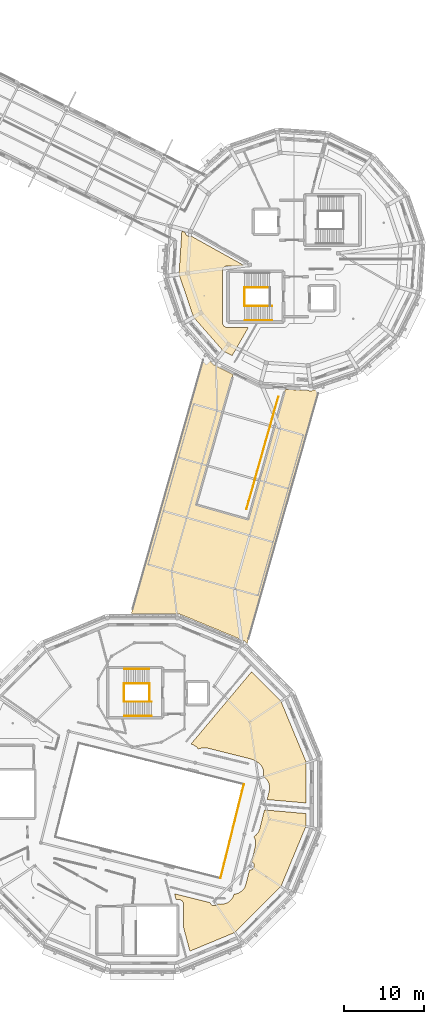
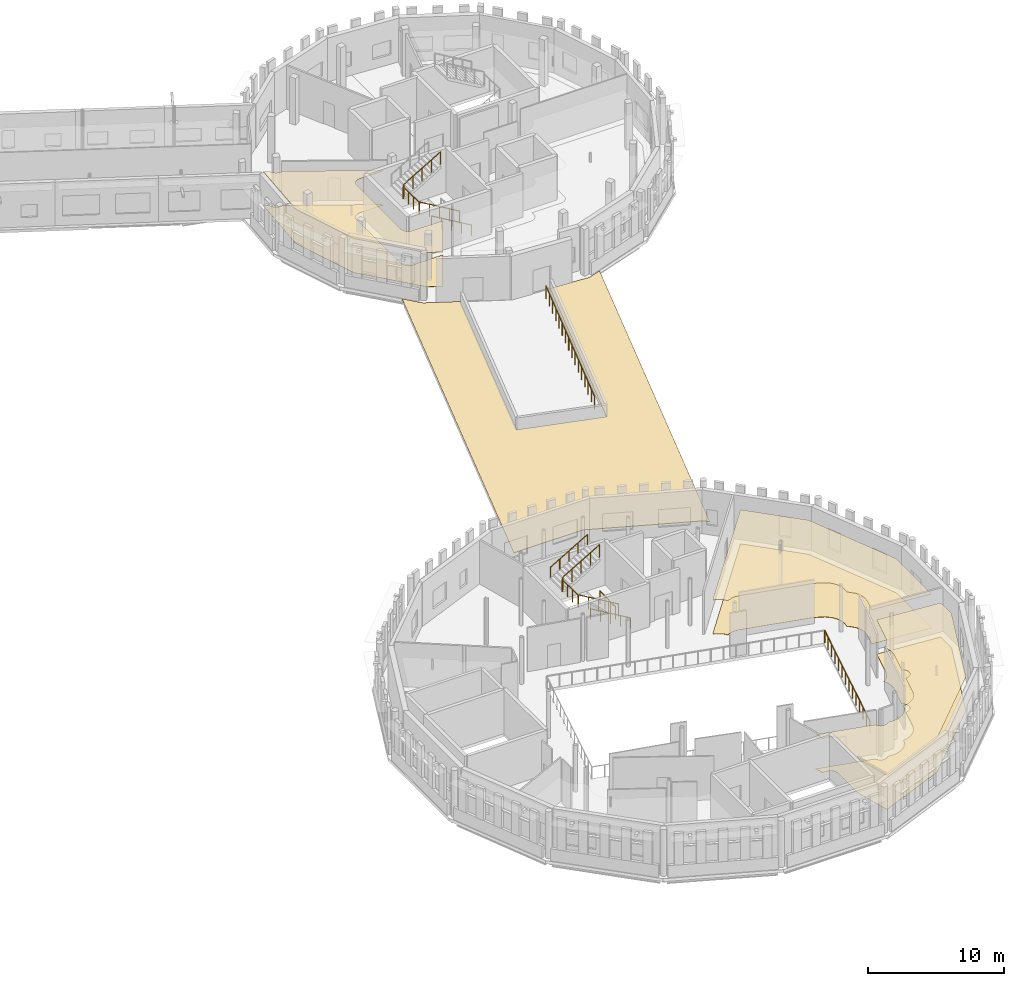
# One storey, part 67 of 68: 12 railings, 7 coverings.
"""IFC4 building model written with IfcOpenShell, lengths in metres."""

from ifc_helpers import new_model, si_unit, direction, frame, origin, origin_2d, place, context, subcontext, project, spatial, polyline, circle, outline, extrude, material, layer, layer_set, type_object, element, save


model = new_model("IFC4")

# Units and contexts
model_context = context("Model", 3, precision=1e-05, world=origin(), true_north=direction((0.0, 1.0)))
body_context = subcontext(model_context, "Body", "Model", "MODEL_VIEW")
ifc_project = project(units=[si_unit("LENGTHUNIT", "METRE"), si_unit("AREAUNIT", "SQUARE_METRE"), si_unit("VOLUMEUNIT", "CUBIC_METRE"), si_unit("PLANEANGLEUNIT", "RADIAN"), si_unit("MASSUNIT", "GRAM", prefix="KILO")], contexts=[model_context])

# Site, building, storey
site_placement = place(None, origin())
site = spatial("IfcSite", under=ifc_project, at=site_placement, CompositionType="ELEMENT")
building_placement = place(site_placement, origin())
building = spatial("IfcBuilding", under=site, at=building_placement, Name="Wrenclough Park School", CompositionType="ELEMENT")
storey_placement = place(building_placement, frame((0.0, 0.0, 12.60009765625)))
storey = spatial("IfcBuildingStorey", under=building, at=storey_placement, Name="L03", CompositionType="ELEMENT", Elevation=12.60009765625)

# Railing
ifc_material_1 = material(Name="Galvanised powder-coated steel and laminated glass balustrade", Category="steel")
railing_type_1 = type_object("IfcRailingType", Name="ENV-BAL-PD", PredefinedType="BALUSTRADE", material=ifc_material_1)
railing_1_placement = place(storey_placement, frame((168.54052734375, 62.18408203125, 0.0)))
element("IfcRailing", 1, at=railing_1_placement, inside=storey, type_object=railing_type_1, Name="Play deck PD-3E planted-zone balustrade", PredefinedType="BALUSTRADE", context=body_context, shape_type="SweptSolid", body=[
    extrude(circle(Radius=0.02392578125, at=origin_2d()), frame((0.0, 0.0, 1.1259765625), z_axis=(0.273109697595, 0.961982896459, 0.0), x_axis=(-0.961982896459, 0.273109697595, 0.0)), (0.0, 0.0, 1.0), 14.630859375),
    extrude(circle(Radius=0.02099609375, at=origin_2d()), origin(), (0.0, 0.0, 1.0), 1.101806640625),
    extrude(circle(Radius=0.02099609375, at=origin_2d()), frame((0.266357421875, 0.938232421875, 0.0)), (0.0, 0.0, 1.0), 1.101806640625),
    extrude(circle(Radius=0.02099609375, at=origin_2d()), frame((0.53271484375, 1.876708984375, 0.0)), (0.0, 0.0, 1.0), 1.101806640625),
    extrude(circle(Radius=0.02099609375, at=origin_2d()), frame((0.799072265625, 2.81494140625, 0.0)), (0.0, 0.0, 1.0), 1.101806640625),
    extrude(circle(Radius=0.02099609375, at=origin_2d()), frame((1.065673828125, 3.753173828125, 0.0)), (0.0, 0.0, 1.0), 1.101806640625),
    extrude(circle(Radius=0.02099609375, at=origin_2d()), frame((1.33203125, 4.691650390625, 0.0)), (0.0, 0.0, 1.0), 1.101806640625),
    extrude(circle(Radius=0.02099609375, at=origin_2d()), frame((1.598388671875, 5.6298828125, 0.0)), (0.0, 0.0, 1.0), 1.101806640625),
    extrude(circle(Radius=0.02099609375, at=origin_2d()), frame((1.86474609375, 6.568115234375, 0.0)), (0.0, 0.0, 1.0), 1.101806640625),
    extrude(circle(Radius=0.02099609375, at=origin_2d()), frame((2.131103515625, 7.506591796875, 0.0)), (0.0, 0.0, 1.0), 1.101806640625),
    extrude(circle(Radius=0.02099609375, at=origin_2d()), frame((2.3974609375, 8.44482421875, 0.0)), (0.0, 0.0, 1.0), 1.101806640625),
    extrude(circle(Radius=0.02099609375, at=origin_2d()), frame((2.663818359375, 9.383056640625, 0.0)), (0.0, 0.0, 1.0), 1.101806640625),
    extrude(circle(Radius=0.02099609375, at=origin_2d()), frame((2.93017578125, 10.321533203125, 0.0)), (0.0, 0.0, 1.0), 1.101806640625),
    extrude(circle(Radius=0.02099609375, at=origin_2d()), frame((3.19677734375, 11.259765625, 0.0)), (0.0, 0.0, 1.0), 1.101806640625),
    extrude(circle(Radius=0.02099609375, at=origin_2d()), frame((3.463134765625, 12.197998046875, 0.0)), (0.0, 0.0, 1.0), 1.101806640625),
    extrude(circle(Radius=0.02099609375, at=origin_2d()), frame((3.7294921875, 13.136474609375, 0.0)), (0.0, 0.0, 1.0), 1.101806640625),
    extrude(circle(Radius=0.02099609375, at=origin_2d()), frame((3.995849609375, 14.07470703125, 0.0)), (0.0, 0.0, 1.0), 1.101806640625),
])

# Coverings
ifc_material_2 = material(Name="Patinated copper-alloy standing-seam eave cladding", Category="aluminium")
ifc_layer_1 = layer(ifc_material_2, 0.044921875)
ifc_layer_set_1 = layer_set([ifc_layer_1], Name="Patinated copper-alloy standing-seam eave cladding")
covering_type_1 = type_object("IfcCoveringType", Name="ENV-COV-EAVE", PredefinedType="CLADDING", material=ifc_layer_set_1)
covering_1_placement = place(storey_placement, origin())
element("IfcCovering", 2, at=covering_1_placement, inside=storey, type_object=covering_type_1, Name="Patinated copper overhanging eave cladding EAVE-W14-L03", PredefinedType="CLADDING", context=body_context, shape_type="SweptSolid", body=[
    extrude(outline(polyline([(168.3134765625, 45.6591796875), (168.63720703125, 45.33544921875), (177.714599609375, 77.344970703125), (176.668212890625, 76.991943359375), (173.423095703125, 77.20458984375), (168.781494140625, 60.861083984375), (162.22509765625, 62.714111328125), (166.8515625, 79.06298828125), (164.3681640625, 80.287841796875), (163.301513671875, 81.5009765625), (154.115478515625, 49.108154296875), (159.996826171875, 49.107177734375), (168.3134765625, 45.6591796875)])), origin(), (0.0, 0.0, 1.0), 0.044921875),
])
ifc_material_3 = material(Name="Class A mineral-fibre acoustic ceiling raft", Category="gypsum")
ifc_layer_2 = layer(ifc_material_3, 0.044921875)
ifc_layer_set_2 = layer_set([ifc_layer_2], Name="Class A mineral-fibre acoustic ceiling raft")
covering_type_2 = type_object("IfcCoveringType", Name="INT-COV-CEIL", PredefinedType="CEILING", material=ifc_layer_set_2)
covering_2_placement = place(storey_placement, frame((0.0, 0.0, 3.054931640625)))
element("IfcCovering", 3, at=covering_2_placement, inside=storey, type_object=covering_type_2, Name="Viewing Gallery East acoustic ceiling raft", PredefinedType="CEILING", context=body_context, shape_type="SweptSolid", body=[
    extrude(outline(polyline([(162.381103515625, 32.287841796875), (162.52099609375, 32.105712890625), (162.621337890625, 32.1591796875), (162.682373046875, 32.1826171875), (163.10107421875, 32.2744140625), (163.23291015625, 32.27587890625), (163.53662109375, 32.248779296875), (163.63623046875, 32.232177734375), (168.970703125, 30.90087890625), (169.460205078125, 30.731201171875), (169.548583984375, 30.692138671875), (169.909912109375, 30.49755859375), (170.17724609375, 30.292724609375), (170.2626953125, 30.212646484375), (170.2998046875, 30.167236328125), (170.4990234375, 29.89404296875), (170.552978515625, 29.781982421875), (170.653076171875, 29.509033203125), (170.68505859375, 29.385498046875), (170.709228515625, 28.97705078125), (170.697021484375, 28.8681640625), (170.659423828125, 28.679443359375), (170.720947265625, 28.642822265625), (170.821533203125, 28.5595703125), (171.135009765625, 28.237060546875), (171.205078125, 28.130615234375), (171.3271484375, 27.888916015625), (171.41748046875, 27.547607421875), (171.43115234375, 27.476806640625), (171.43701171875, 27.40478515625), (171.39892578125, 26.92724609375), (171.382080078125, 26.826904296875), (171.12255859375, 25.78564453125), (175.982177734375, 25.360595703125), (175.982177734375, 30.57421875), (172.864013671875, 38.102294921875), (169.177490234375, 41.788818359375), (161.649169921875, 32.81689453125), (161.649169921875, 32.72265625), (161.7734375, 32.6875), (161.8291015625, 32.664306640625), (162.1953125, 32.451904296875), (162.296142578125, 32.37890625), (162.381103515625, 32.287841796875)])), origin(), (0.0, 0.0, 1.0), 0.044921875),
])
covering_3_placement = place(storey_placement, frame((0.0, 0.0, 3.054931640625)))
element("IfcCovering", 4, at=covering_3_placement, inside=storey, type_object=covering_type_2, Name="PE Department Staff Room acoustic ceiling raft", PredefinedType="CEILING", context=body_context, shape_type="SweptSolid", body=[
    extrude(outline(polyline([(163.97509765625, 12.876220703125), (159.5341796875, 13.982421875), (159.720703125, 13.27001953125), (160.083740234375, 13.266845703125), (160.208740234375, 13.241943359375), (160.326416015625, 13.193115234375), (160.432373046875, 13.12255859375), (160.5224609375, 13.032470703125), (160.59326171875, 12.926513671875), (160.64208984375, 12.80859375), (160.657470703125, 12.746826171875), (160.669921875, 12.6201171875), (160.669921875, 9.716796875), (161.45263671875, 6.7958984375), (167.102294921875, 9.135986328125), (172.864013671875, 14.897705078125), (175.982177734375, 22.42578125), (175.982177734375, 24.035400390625), (170.79931640625, 24.489013671875), (170.214111328125, 22.142578125), (170.183349609375, 22.050048828125), (170.04833984375, 21.733642578125), (169.97998046875, 21.630615234375), (169.761474609375, 21.364990234375), (169.66650390625, 21.28515625), (169.46240234375, 21.144287109375), (169.524658203125, 21.04150390625), (169.551513671875, 20.981201171875), (169.623779296875, 20.794921875), (169.65869140625, 20.668701171875), (169.699951171875, 20.406005859375), (169.688232421875, 20.072998046875), (169.17919921875, 18.005615234375), (169.22802734375, 17.982666015625), (169.317138671875, 17.923095703125), (169.39306640625, 17.84716796875), (169.45263671875, 17.758056640625), (169.49365234375, 17.658935546875), (169.5146484375, 17.5537109375), (169.5146484375, 17.4462890625), (169.49365234375, 17.341064453125), (169.45263671875, 17.241943359375), (169.425048828125, 17.19580078125), (169.35693359375, 17.113037109375), (169.274169921875, 17.044921875), (169.179443359375, 16.994384765625), (169.12890625, 16.976318359375), (169.023681640625, 16.955322265625), (168.918701171875, 16.955078125), (168.4892578125, 15.22412109375), (168.367431640625, 14.87939453125), (168.31396484375, 14.76708984375), (168.09765625, 14.469970703125), (168.02197265625, 14.384521484375), (167.9326171875, 14.31396484375), (167.60986328125, 14.101318359375), (167.51171875, 14.048095703125), (167.40576171875, 14.012451171875), (167.123291015625, 13.94384765625), (166.981689453125, 13.92626953125), (166.855712890625, 13.578125), (166.79248046875, 13.471435546875), (166.62158203125, 13.23681640625), (166.5341796875, 13.1396484375), (166.48388671875, 13.097900390625), (166.239013671875, 12.916259765625), (166.130126953125, 12.850830078125), (165.811767578125, 12.7333984375), (165.73681640625, 12.711181640625), (165.659912109375, 12.698486328125), (165.3466796875, 12.66748046875), (164.925048828125, 12.685302734375), (164.84716796875, 12.60693359375), (164.758056640625, 12.54736328125), (164.70947265625, 12.5244140625), (164.606689453125, 12.4931640625), (164.5, 12.482666015625), (164.393310546875, 12.4931640625), (164.29052734375, 12.5244140625), (164.241943359375, 12.54736328125), (164.15283203125, 12.60693359375), (164.076904296875, 12.682861328125), (164.044921875, 12.725830078125), (163.994384765625, 12.820556640625), (163.97509765625, 12.876220703125)])), origin(), (0.0, 0.0, 1.0), 0.044921875),
])
covering_4_placement = place(storey_placement, frame((0.0, 0.0, 3.054931640625)))
element("IfcCovering", 5, at=covering_4_placement, inside=storey, type_object=covering_type_2, Name="Main Teaching Staff Room acoustic ceiling raft", PredefinedType="CEILING", context=body_context, shape_type="SweptSolid", body=[
    extrude(outline(polyline([(160.859375, 96.81640625), (160.447509765625, 97.043701171875), (160.091064453125, 91.60302734375), (161.913818359375, 86.2333984375), (165.652587890625, 81.969970703125), (166.755615234375, 81.426025390625), (168.778564453125, 84.929931640625), (166.1162109375, 84.93310546875), (165.9912109375, 84.9580078125), (165.931396484375, 84.9794921875), (165.81884765625, 85.03955078125), (165.720458984375, 85.120361328125), (165.677490234375, 85.16748046875), (165.606689453125, 85.273681640625), (165.57958984375, 85.331298828125), (165.54248046875, 85.453125), (165.530029296875, 85.580078125), (165.533203125, 92.083740234375), (165.54248046875, 92.146728515625), (165.57958984375, 92.268798828125), (165.606689453125, 92.326416015625), (165.677490234375, 92.432373046875), (165.720458984375, 92.4794921875), (165.81884765625, 92.560546875), (165.931396484375, 92.62060546875), (166.05322265625, 92.657470703125), (166.179931640625, 92.669921875), (168.183349609375, 92.669921875), (168.102294921875, 92.73828125), (168.001708984375, 92.840576171875), (161.702880859375, 96.33984375), (161.57373046875, 96.314208984375), (161.4423828125, 96.314208984375), (161.3134765625, 96.33984375), (161.192138671875, 96.39013671875), (161.0830078125, 96.463134765625), (160.989990234375, 96.555908203125), (160.9169921875, 96.665283203125), (160.888916015625, 96.724609375), (160.859375, 96.81640625)])), origin(), (0.0, 0.0, 1.0), 0.044921875),
])
ifc_material_4 = material(Name="Acoustic natural linoleum school flooring", Category="wood")
ifc_layer_3 = layer(ifc_material_4, 0.014892578125)
ifc_layer_set_3 = layer_set([ifc_layer_3], Name="Acoustic natural linoleum school flooring")
covering_type_3 = type_object("IfcCoveringType", Name="INT-COV-FLOOR1", PredefinedType="FLOORING", material=ifc_layer_set_3)
covering_5_placement = place(storey_placement, origin())
element("IfcCovering", 6, at=covering_5_placement, inside=storey, type_object=covering_type_3, Name="PE Department Staff Room floor finish", PredefinedType="FLOORING", context=body_context, shape_type="SweptSolid", body=[
    extrude(outline(polyline([(163.97509765625, 12.876220703125), (159.5341796875, 13.982421875), (159.720703125, 13.27001953125), (160.083740234375, 13.266845703125), (160.208740234375, 13.241943359375), (160.326416015625, 13.193115234375), (160.432373046875, 13.12255859375), (160.5224609375, 13.032470703125), (160.59326171875, 12.926513671875), (160.64208984375, 12.80859375), (160.657470703125, 12.746826171875), (160.669921875, 12.6201171875), (160.669921875, 9.716796875), (161.45263671875, 6.7958984375), (167.102294921875, 9.135986328125), (172.864013671875, 14.897705078125), (175.982177734375, 22.42578125), (175.982177734375, 24.035400390625), (170.79931640625, 24.489013671875), (170.214111328125, 22.142578125), (170.183349609375, 22.050048828125), (170.04833984375, 21.733642578125), (169.97998046875, 21.630615234375), (169.761474609375, 21.364990234375), (169.66650390625, 21.28515625), (169.46240234375, 21.144287109375), (169.524658203125, 21.04150390625), (169.551513671875, 20.981201171875), (169.623779296875, 20.794921875), (169.65869140625, 20.668701171875), (169.699951171875, 20.406005859375), (169.688232421875, 20.072998046875), (169.17919921875, 18.005615234375), (169.22802734375, 17.982666015625), (169.317138671875, 17.923095703125), (169.39306640625, 17.84716796875), (169.45263671875, 17.758056640625), (169.49365234375, 17.658935546875), (169.5146484375, 17.5537109375), (169.5146484375, 17.4462890625), (169.49365234375, 17.341064453125), (169.45263671875, 17.241943359375), (169.425048828125, 17.19580078125), (169.35693359375, 17.113037109375), (169.274169921875, 17.044921875), (169.179443359375, 16.994384765625), (169.12890625, 16.976318359375), (169.023681640625, 16.955322265625), (168.918701171875, 16.955078125), (168.4892578125, 15.22412109375), (168.367431640625, 14.87939453125), (168.31396484375, 14.76708984375), (168.09765625, 14.469970703125), (168.02197265625, 14.384521484375), (167.9326171875, 14.31396484375), (167.60986328125, 14.101318359375), (167.51171875, 14.048095703125), (167.40576171875, 14.012451171875), (167.123291015625, 13.94384765625), (166.981689453125, 13.92626953125), (166.855712890625, 13.578125), (166.79248046875, 13.471435546875), (166.62158203125, 13.23681640625), (166.5341796875, 13.1396484375), (166.48388671875, 13.097900390625), (166.239013671875, 12.916259765625), (166.130126953125, 12.850830078125), (165.811767578125, 12.7333984375), (165.73681640625, 12.711181640625), (165.659912109375, 12.698486328125), (165.3466796875, 12.66748046875), (164.925048828125, 12.685302734375), (164.84716796875, 12.60693359375), (164.758056640625, 12.54736328125), (164.70947265625, 12.5244140625), (164.606689453125, 12.4931640625), (164.5, 12.482666015625), (164.393310546875, 12.4931640625), (164.29052734375, 12.5244140625), (164.241943359375, 12.54736328125), (164.15283203125, 12.60693359375), (164.076904296875, 12.682861328125), (164.044921875, 12.725830078125), (163.994384765625, 12.820556640625), (163.97509765625, 12.876220703125)])), origin(), (0.0, 0.0, 1.0), 0.014892578125),
])
covering_6_placement = place(storey_placement, origin())
element("IfcCovering", 7, at=covering_6_placement, inside=storey, type_object=covering_type_3, Name="Main Teaching Staff Room floor finish", PredefinedType="FLOORING", context=body_context, shape_type="SweptSolid", body=[
    extrude(outline(polyline([(160.859375, 96.81640625), (160.447509765625, 97.043701171875), (160.091064453125, 91.60302734375), (161.913818359375, 86.2333984375), (165.652587890625, 81.969970703125), (166.755615234375, 81.426025390625), (168.778564453125, 84.929931640625), (166.1162109375, 84.93310546875), (165.9912109375, 84.9580078125), (165.931396484375, 84.9794921875), (165.81884765625, 85.03955078125), (165.720458984375, 85.120361328125), (165.677490234375, 85.16748046875), (165.606689453125, 85.273681640625), (165.57958984375, 85.331298828125), (165.54248046875, 85.453125), (165.530029296875, 85.580078125), (165.533203125, 92.083740234375), (165.54248046875, 92.146728515625), (165.57958984375, 92.268798828125), (165.606689453125, 92.326416015625), (165.677490234375, 92.432373046875), (165.720458984375, 92.4794921875), (165.81884765625, 92.560546875), (165.931396484375, 92.62060546875), (166.05322265625, 92.657470703125), (166.179931640625, 92.669921875), (168.183349609375, 92.669921875), (168.102294921875, 92.73828125), (168.001708984375, 92.840576171875), (161.702880859375, 96.33984375), (161.57373046875, 96.314208984375), (161.4423828125, 96.314208984375), (161.3134765625, 96.33984375), (161.192138671875, 96.39013671875), (161.0830078125, 96.463134765625), (160.989990234375, 96.555908203125), (160.9169921875, 96.665283203125), (160.888916015625, 96.724609375), (160.859375, 96.81640625)])), origin(), (0.0, 0.0, 1.0), 0.014892578125),
])
ifc_material_5 = material(Name="Sprung polymeric sports hall flooring", Category="wood")
ifc_layer_4 = layer(ifc_material_5, 0.02197265625)
ifc_layer_set_4 = layer_set([ifc_layer_4], Name="Sprung polymeric sports hall flooring")
covering_type_4 = type_object("IfcCoveringType", Name="INT-COV-FLOOR2", PredefinedType="FLOORING", material=ifc_layer_set_4)
covering_7_placement = place(storey_placement, origin())
element("IfcCovering", 8, at=covering_7_placement, inside=storey, type_object=covering_type_4, Name="Viewing Gallery East floor finish", PredefinedType="FLOORING", context=body_context, shape_type="SweptSolid", body=[
    extrude(outline(polyline([(162.381103515625, 32.287841796875), (162.52099609375, 32.105712890625), (162.621337890625, 32.1591796875), (162.682373046875, 32.1826171875), (163.10107421875, 32.2744140625), (163.23291015625, 32.27587890625), (163.53662109375, 32.248779296875), (163.63623046875, 32.232177734375), (168.970703125, 30.90087890625), (169.460205078125, 30.731201171875), (169.548583984375, 30.692138671875), (169.909912109375, 30.49755859375), (170.17724609375, 30.292724609375), (170.2626953125, 30.212646484375), (170.2998046875, 30.167236328125), (170.4990234375, 29.89404296875), (170.552978515625, 29.781982421875), (170.653076171875, 29.509033203125), (170.68505859375, 29.385498046875), (170.709228515625, 28.97705078125), (170.697021484375, 28.8681640625), (170.659423828125, 28.679443359375), (170.720947265625, 28.642822265625), (170.821533203125, 28.5595703125), (171.135009765625, 28.237060546875), (171.205078125, 28.130615234375), (171.3271484375, 27.888916015625), (171.41748046875, 27.547607421875), (171.43115234375, 27.476806640625), (171.43701171875, 27.40478515625), (171.39892578125, 26.92724609375), (171.382080078125, 26.826904296875), (171.12255859375, 25.78564453125), (175.982177734375, 25.360595703125), (175.982177734375, 30.57421875), (172.864013671875, 38.102294921875), (169.177490234375, 41.788818359375), (161.649169921875, 32.81689453125), (161.649169921875, 32.72265625), (161.7734375, 32.6875), (161.8291015625, 32.664306640625), (162.1953125, 32.451904296875), (162.296142578125, 32.37890625), (162.381103515625, 32.287841796875)])), origin(), (0.0, 0.0, 1.0), 0.02197265625),
])

# Railings
ifc_material_6 = material(Name="Powder-coated steel vertical-baluster stair and atrium guard", Category="steel")
railing_type_2 = type_object("IfcRailingType", Name="INT-RL-GD1120", PredefinedType="GUARDRAIL", material=ifc_material_6)
railing_2_placement = place(storey_placement, frame((156.39501953125, 38.050048828125, 0.0)))
element("IfcRailing", 9, at=railing_2_placement, inside=storey, type_object=railing_type_2, Name="ST-01 L03 well guard 1", PredefinedType="GUARDRAIL", context=body_context, shape_type="SweptSolid", body=[
    extrude(circle(Radius=0.02392578125, at=origin_2d()), frame((0.0, 0.0, 1.09619140625), z_axis=(0.0, 1.0, 0.0), x_axis=(-1.0, 0.0, 0.0)), (0.0, 0.0, 1.0), 2.300048828125),
    extrude(circle(Radius=0.02099609375, at=origin_2d()), origin(), (0.0, 0.0, 1.0), 1.072021484375),
    extrude(circle(Radius=0.02099609375, at=origin_2d()), frame((0.0, 0.7666015625, 0.0)), (0.0, 0.0, 1.0), 1.072021484375),
    extrude(circle(Radius=0.02099609375, at=origin_2d()), frame((0.0, 1.533447265625, 0.0)), (0.0, 0.0, 1.0), 1.072021484375),
    extrude(circle(Radius=0.02099609375, at=origin_2d()), frame((0.0, 2.300048828125, 0.0)), (0.0, 0.0, 1.0), 1.072021484375),
])
railing_3_placement = place(storey_placement, frame((156.639892578125, 38.050048828125, 0.16796875)))
element("IfcRailing", 10, at=railing_3_placement, inside=storey, type_object=railing_type_2, Name="ST-01 L03 well guard 2", PredefinedType="GUARDRAIL", context=body_context, shape_type="SweptSolid", body=[
    extrude(circle(Radius=0.02392578125, at=origin_2d()), frame((0.0, 0.0, 1.09619140625), z_axis=(-0.861476970849, 0.0, 0.507796641084), x_axis=(0.0, -1.0, 0.0)), (0.0, 0.0, 1.0), 3.9697265625),
    extrude(circle(Radius=0.02099609375, at=origin_2d()), origin(), (0.0, 0.0, 1.0), 1.072021484375),
    extrude(circle(Radius=0.02099609375, at=origin_2d()), frame((-0.85498046875, 0.0, 0.50390625)), (0.0, 0.0, 1.0), 1.072021484375),
    extrude(circle(Radius=0.02099609375, at=origin_2d()), frame((-1.7099609375, 0.0, 1.0078125)), (0.0, 0.0, 1.0), 1.072021484375),
    extrude(circle(Radius=0.02099609375, at=origin_2d()), frame((-2.56494140625, 0.0, 1.511962890625)), (0.0, 0.0, 1.0), 1.072021484375),
    extrude(circle(Radius=0.02099609375, at=origin_2d()), frame((-3.419921875, 0.0, 2.015869140625)), (0.0, 0.0, 1.0), 1.072021484375),
])
railing_4_placement = place(storey_placement, frame((153.179931640625, 38.050048828125, 2.183837890625)))
element("IfcRailing", 11, at=railing_4_placement, inside=storey, type_object=railing_type_2, Name="ST-01 L03 well guard 3", PredefinedType="GUARDRAIL", context=body_context, shape_type="SweptSolid", body=[
    extrude(circle(Radius=0.02392578125, at=origin_2d()), frame((0.0, 0.0, 1.09619140625), z_axis=(0.0, 1.0, 0.0), x_axis=(-1.0, 0.0, 0.0)), (0.0, 0.0, 1.0), 2.300048828125),
    extrude(circle(Radius=0.02099609375, at=origin_2d()), origin(), (0.0, 0.0, 1.0), 1.072021484375),
    extrude(circle(Radius=0.02099609375, at=origin_2d()), frame((0.0, 0.7666015625, 0.0)), (0.0, 0.0, 1.0), 1.072021484375),
    extrude(circle(Radius=0.02099609375, at=origin_2d()), frame((0.0, 1.533447265625, 0.0)), (0.0, 0.0, 1.0), 1.072021484375),
    extrude(circle(Radius=0.02099609375, at=origin_2d()), frame((0.0, 2.300048828125, 0.0)), (0.0, 0.0, 1.0), 1.072021484375),
])
railing_5_placement = place(storey_placement, frame((153.219970703125, 40.35009765625, 2.351806640625)))
element("IfcRailing", 12, at=railing_5_placement, inside=storey, type_object=railing_type_2, Name="ST-01 L03 well guard 4", PredefinedType="GUARDRAIL", context=body_context, shape_type="SweptSolid", body=[
    extrude(circle(Radius=0.02392578125, at=origin_2d()), frame((0.0, 0.0, 1.09619140625), z_axis=(0.861450943231, 0.0, 0.507840794351), x_axis=(0.0, 1.0, 0.0)), (0.0, 0.0, 1.0), 3.63916015625),
    extrude(circle(Radius=0.02099609375, at=origin_2d()), origin(), (0.0, 0.0, 1.0), 1.072021484375),
    extrude(circle(Radius=0.02099609375, at=origin_2d()), frame((0.78369140625, 0.0, 0.4619140625)), (0.0, 0.0, 1.0), 1.072021484375),
    extrude(circle(Radius=0.02099609375, at=origin_2d()), frame((1.5673828125, 0.0, 0.924072265625)), (0.0, 0.0, 1.0), 1.072021484375),
    extrude(circle(Radius=0.02099609375, at=origin_2d()), frame((2.351318359375, 0.0, 1.38623046875)), (0.0, 0.0, 1.0), 1.072021484375),
    extrude(circle(Radius=0.02099609375, at=origin_2d()), frame((3.135009765625, 0.0, 1.84814453125)), (0.0, 0.0, 1.0), 1.072021484375),
])
railing_6_placement = place(storey_placement, frame((171.739990234375, 87.64990234375, 0.16796875)))
element("IfcRailing", 13, at=railing_6_placement, inside=storey, type_object=railing_type_2, Name="ST-05 L03 well guard 2", PredefinedType="GUARDRAIL", context=body_context, shape_type="SweptSolid", body=[
    extrude(circle(Radius=0.02392578125, at=origin_2d()), frame((0.0, 0.0, 1.09619140625), z_axis=(-0.861476970849, 0.0, 0.507796641084), x_axis=(0.0, -1.0, 0.0)), (0.0, 0.0, 1.0), 3.9697265625),
    extrude(circle(Radius=0.02099609375, at=origin_2d()), origin(), (0.0, 0.0, 1.0), 1.072021484375),
    extrude(circle(Radius=0.02099609375, at=origin_2d()), frame((-0.85498046875, 0.0, 0.50390625)), (0.0, 0.0, 1.0), 1.072021484375),
    extrude(circle(Radius=0.02099609375, at=origin_2d()), frame((-1.7099609375, 0.0, 1.0078125)), (0.0, 0.0, 1.0), 1.072021484375),
    extrude(circle(Radius=0.02099609375, at=origin_2d()), frame((-2.56494140625, 0.0, 1.511962890625)), (0.0, 0.0, 1.0), 1.072021484375),
    extrude(circle(Radius=0.02099609375, at=origin_2d()), frame((-3.419921875, 0.0, 2.015869140625)), (0.0, 0.0, 1.0), 1.072021484375),
])
railing_7_placement = place(storey_placement, frame((168.280029296875, 87.64990234375, 2.183837890625)))
element("IfcRailing", 14, at=railing_7_placement, inside=storey, type_object=railing_type_2, Name="ST-05 L03 well guard 3", PredefinedType="GUARDRAIL", context=body_context, shape_type="SweptSolid", body=[
    extrude(circle(Radius=0.02392578125, at=origin_2d()), frame((0.0, 0.0, 1.09619140625), z_axis=(0.0, 1.0, 0.0), x_axis=(-1.0, 0.0, 0.0)), (0.0, 0.0, 1.0), 2.300048828125),
    extrude(circle(Radius=0.02099609375, at=origin_2d()), origin(), (0.0, 0.0, 1.0), 1.072021484375),
    extrude(circle(Radius=0.02099609375, at=origin_2d()), frame((0.0, 0.7666015625, 0.0)), (0.0, 0.0, 1.0), 1.072021484375),
    extrude(circle(Radius=0.02099609375, at=origin_2d()), frame((0.0, 1.533447265625, 0.0)), (0.0, 0.0, 1.0), 1.072021484375),
    extrude(circle(Radius=0.02099609375, at=origin_2d()), frame((0.0, 2.300048828125, 0.0)), (0.0, 0.0, 1.0), 1.072021484375),
])
railing_8_placement = place(storey_placement, frame((168.320068359375, 89.949951171875, 2.351806640625)))
element("IfcRailing", 15, at=railing_8_placement, inside=storey, type_object=railing_type_2, Name="ST-05 L03 well guard 4", PredefinedType="GUARDRAIL", context=body_context, shape_type="SweptSolid", body=[
    extrude(circle(Radius=0.02392578125, at=origin_2d()), frame((0.0, 0.0, 1.09619140625), z_axis=(0.861450943231, 0.0, 0.507840794351), x_axis=(0.0, 1.0, 0.0)), (0.0, 0.0, 1.0), 3.63916015625),
    extrude(circle(Radius=0.02099609375, at=origin_2d()), origin(), (0.0, 0.0, 1.0), 1.072021484375),
    extrude(circle(Radius=0.02099609375, at=origin_2d()), frame((0.78369140625, 0.0, 0.4619140625)), (0.0, 0.0, 1.0), 1.072021484375),
    extrude(circle(Radius=0.02099609375, at=origin_2d()), frame((1.5673828125, 0.0, 0.924072265625)), (0.0, 0.0, 1.0), 1.072021484375),
    extrude(circle(Radius=0.02099609375, at=origin_2d()), frame((2.351318359375, 0.0, 1.38623046875)), (0.0, 0.0, 1.0), 1.072021484375),
    extrude(circle(Radius=0.02099609375, at=origin_2d()), frame((3.135009765625, 0.0, 1.84814453125)), (0.0, 0.0, 1.0), 1.072021484375),
])
railing_9_placement = place(storey_placement, frame((165.29052734375, 15.953369140625, 0.0)))
element("IfcRailing", 16, at=railing_9_placement, inside=storey, type_object=railing_type_2, Name="D1 L03 void perimeter guard 1.2", PredefinedType="GUARDRAIL", context=body_context, shape_type="SweptSolid", body=[
    extrude(circle(Radius=0.02392578125, at=origin_2d()), frame((0.0, 0.0, 1.09619140625), z_axis=(0.24194164496, 0.970290801994, 0.0), x_axis=(-0.970290801994, 0.24194164496, 0.0)), (0.0, 0.0, 1.0), 12.08984375),
    extrude(circle(Radius=0.02099609375, at=origin_2d()), origin(), (0.0, 0.0, 1.0), 1.072021484375),
    extrude(circle(Radius=0.02099609375, at=origin_2d()), frame((0.22509765625, 0.90234375, 0.0)), (0.0, 0.0, 1.0), 1.072021484375),
    extrude(circle(Radius=0.02099609375, at=origin_2d()), frame((0.449951171875, 1.8046875, 0.0)), (0.0, 0.0, 1.0), 1.072021484375),
    extrude(circle(Radius=0.02099609375, at=origin_2d()), frame((0.675048828125, 2.70703125, 0.0)), (0.0, 0.0, 1.0), 1.072021484375),
    extrude(circle(Radius=0.02099609375, at=origin_2d()), frame((0.89990234375, 3.609375, 0.0)), (0.0, 0.0, 1.0), 1.072021484375),
    extrude(circle(Radius=0.02099609375, at=origin_2d()), frame((1.125, 4.51171875, 0.0)), (0.0, 0.0, 1.0), 1.072021484375),
    extrude(circle(Radius=0.02099609375, at=origin_2d()), frame((1.35009765625, 5.4140625, 0.0)), (0.0, 0.0, 1.0), 1.072021484375),
    extrude(circle(Radius=0.02099609375, at=origin_2d()), frame((1.574951171875, 6.316650390625, 0.0)), (0.0, 0.0, 1.0), 1.072021484375),
    extrude(circle(Radius=0.02099609375, at=origin_2d()), frame((1.800048828125, 7.218994140625, 0.0)), (0.0, 0.0, 1.0), 1.072021484375),
    extrude(circle(Radius=0.02099609375, at=origin_2d()), frame((2.025146484375, 8.121337890625, 0.0)), (0.0, 0.0, 1.0), 1.072021484375),
    extrude(circle(Radius=0.02099609375, at=origin_2d()), frame((2.25, 9.023681640625, 0.0)), (0.0, 0.0, 1.0), 1.072021484375),
    extrude(circle(Radius=0.02099609375, at=origin_2d()), frame((2.47509765625, 9.926025390625, 0.0)), (0.0, 0.0, 1.0), 1.072021484375),
    extrude(circle(Radius=0.02099609375, at=origin_2d()), frame((2.699951171875, 10.828369140625, 0.0)), (0.0, 0.0, 1.0), 1.072021484375),
    extrude(circle(Radius=0.02099609375, at=origin_2d()), frame((2.925048828125, 11.730712890625, 0.0)), (0.0, 0.0, 1.0), 1.072021484375),
])
ifc_material_7 = material(Name="Brushed stainless steel tubular handrail", Category="steel")
railing_type_3 = type_object("IfcRailingType", Name="INT-RL-HR950", PredefinedType="HANDRAIL", material=ifc_material_7)
railing_10_placement = place(storey_placement, frame((156.639892578125, 36.25, 0.16796875)))
element("IfcRailing", 17, at=railing_10_placement, inside=storey, type_object=railing_type_3, Name="ST-01 L03 pitch handrail 1", PredefinedType="HANDRAIL", context=body_context, shape_type="SweptSolid", body=[
    extrude(circle(Radius=0.02392578125, at=origin_2d()), frame((0.0, 0.0, 0.92578125), z_axis=(-0.861476970849, 0.0, 0.507796641084), x_axis=(0.0, -1.0, 0.0)), (0.0, 0.0, 1.0), 3.9697265625),
    extrude(circle(Radius=0.02099609375, at=origin_2d()), origin(), (0.0, 0.0, 1.0), 0.90185546875),
    extrude(circle(Radius=0.02099609375, at=origin_2d()), frame((-0.85498046875, 0.0, 0.50390625)), (0.0, 0.0, 1.0), 0.90185546875),
    extrude(circle(Radius=0.02099609375, at=origin_2d()), frame((-1.7099609375, 0.0, 1.0078125)), (0.0, 0.0, 1.0), 0.90185546875),
    extrude(circle(Radius=0.02099609375, at=origin_2d()), frame((-2.56494140625, 0.0, 1.511962890625)), (0.0, 0.0, 1.0), 0.90185546875),
    extrude(circle(Radius=0.02099609375, at=origin_2d()), frame((-3.419921875, 0.0, 2.015869140625)), (0.0, 0.0, 1.0), 0.90185546875),
])
railing_11_placement = place(storey_placement, frame((153.219970703125, 42.14990234375, 2.351806640625)))
element("IfcRailing", 18, at=railing_11_placement, inside=storey, type_object=railing_type_3, Name="ST-01 L03 pitch handrail 2", PredefinedType="HANDRAIL", context=body_context, shape_type="SweptSolid", body=[
    extrude(circle(Radius=0.02392578125, at=origin_2d()), frame((0.0, 0.0, 0.92578125), z_axis=(0.861450943231, 0.0, 0.507840794351), x_axis=(0.0, 1.0, 0.0)), (0.0, 0.0, 1.0), 3.63916015625),
    extrude(circle(Radius=0.02099609375, at=origin_2d()), origin(), (0.0, 0.0, 1.0), 0.90185546875),
    extrude(circle(Radius=0.02099609375, at=origin_2d()), frame((0.78369140625, 0.0, 0.4619140625)), (0.0, 0.0, 1.0), 0.90185546875),
    extrude(circle(Radius=0.02099609375, at=origin_2d()), frame((1.5673828125, 0.0, 0.924072265625)), (0.0, 0.0, 1.0), 0.90185546875),
    extrude(circle(Radius=0.02099609375, at=origin_2d()), frame((2.351318359375, 0.0, 1.38623046875)), (0.0, 0.0, 1.0), 0.90185546875),
    extrude(circle(Radius=0.02099609375, at=origin_2d()), frame((3.135009765625, 0.0, 1.84814453125)), (0.0, 0.0, 1.0), 0.90185546875),
])
railing_12_placement = place(storey_placement, frame((171.739990234375, 85.85009765625, 0.16796875)))
element("IfcRailing", 19, at=railing_12_placement, inside=storey, type_object=railing_type_3, Name="ST-05 L03 pitch handrail 1", PredefinedType="HANDRAIL", context=body_context, shape_type="SweptSolid", body=[
    extrude(circle(Radius=0.02392578125, at=origin_2d()), frame((0.0, 0.0, 0.92578125), z_axis=(-0.861476970849, 0.0, 0.507796641084), x_axis=(0.0, -1.0, 0.0)), (0.0, 0.0, 1.0), 3.9697265625),
    extrude(circle(Radius=0.02099609375, at=origin_2d()), origin(), (0.0, 0.0, 1.0), 0.90185546875),
    extrude(circle(Radius=0.02099609375, at=origin_2d()), frame((-0.85498046875, 0.0, 0.50390625)), (0.0, 0.0, 1.0), 0.90185546875),
    extrude(circle(Radius=0.02099609375, at=origin_2d()), frame((-1.7099609375, 0.0, 1.0078125)), (0.0, 0.0, 1.0), 0.90185546875),
    extrude(circle(Radius=0.02099609375, at=origin_2d()), frame((-2.56494140625, 0.0, 1.511962890625)), (0.0, 0.0, 1.0), 0.90185546875),
    extrude(circle(Radius=0.02099609375, at=origin_2d()), frame((-3.419921875, 0.0, 2.015869140625)), (0.0, 0.0, 1.0), 0.90185546875),
])

save(model, "model.ifc")
